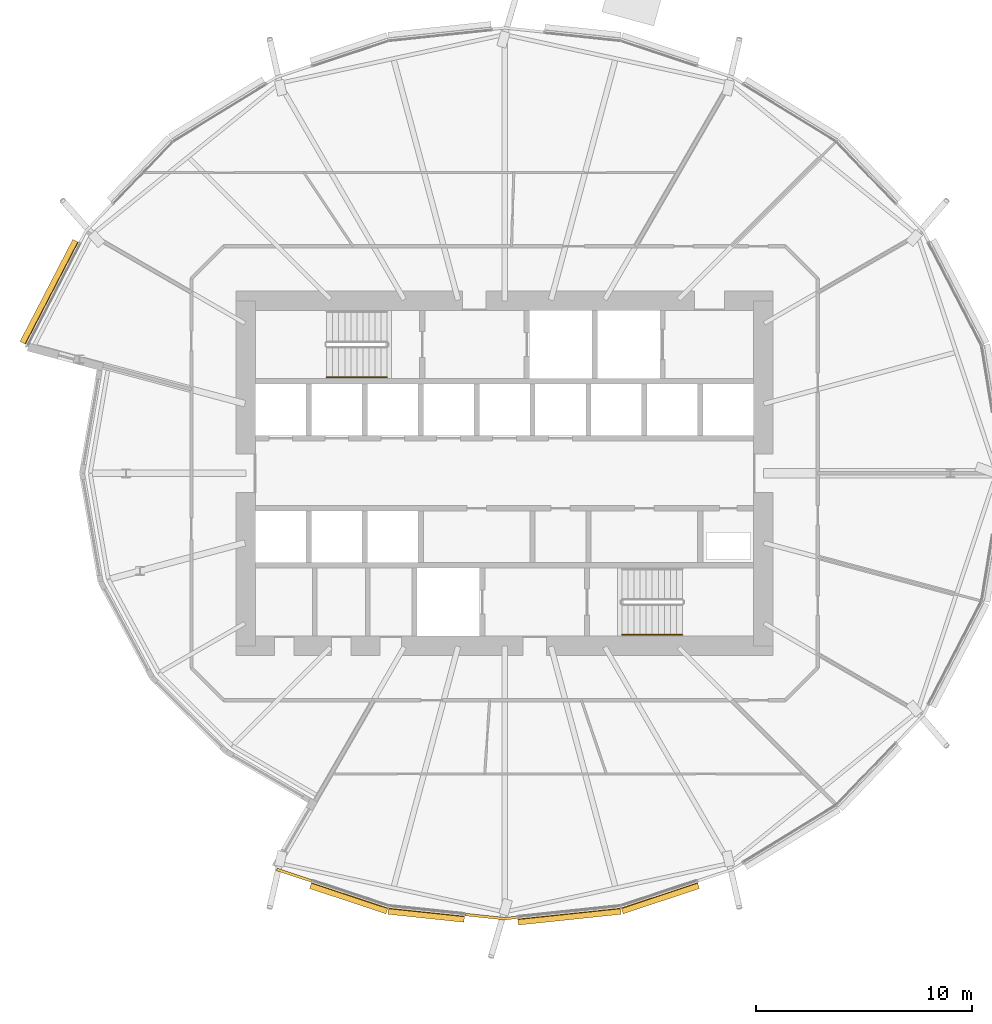
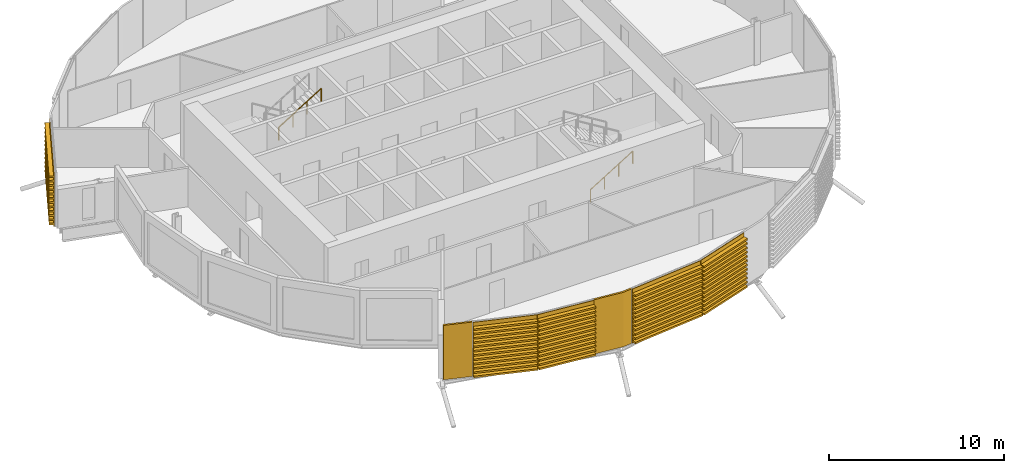
# One storey, part 33 of 38: 7 coverings, 2 railings.
"""IFC4 building model written with IfcOpenShell, lengths in metres."""

import ifcopenshell
import ifcopenshell.guid

model = None  # the IFC model being written
_history = None  # IfcOwnerHistory: only IFC2X3 demands one
_inside = {}  # id of a spatial element -> (the spatial element, [elements in it])
_under = {}  # id of a project, library or spatial element -> (it, [spatial elements below it])
_declared = {}  # id of a project -> (the project, [libraries it declares])
_typed = {}  # id of a type object -> (the type object, [elements of that type])
_made_of = {}  # id of a material, layer set ... -> (it, [elements and type objects made of it])


def new_model(schema):
    """Start an empty IFC model of exactly this schema.

    Asked for "IFC4X3", IfcOpenShell would pick the latest addendum, in which some entities
    have other attributes; the version numbers below select the first issue.
    IFC2X3 requires an IfcOwnerHistory on every rooted entity: one is made here for all.
    """
    global model, _history
    if schema == "IFC4X3":
        model = ifcopenshell.file(schema_version=(4, 3, 0, 0))
    else:
        model = ifcopenshell.file(schema=schema)
    _inside.clear()
    _under.clear()
    _declared.clear()
    _typed.clear()
    _made_of.clear()
    _history = None
    if model.schema == "IFC2X3":
        org = make("IfcOrganization", Name="unknown")
        user = make(
            "IfcPersonAndOrganization",
            ThePerson=make("IfcPerson", FamilyName="unknown"),
            TheOrganization=org,
        )
        app = make(
            "IfcApplication",
            ApplicationDeveloper=org,
            Version="unknown",
            ApplicationFullName="unknown",
            ApplicationIdentifier="unknown",
        )
        _history = make(
            "IfcOwnerHistory",
            OwningUser=user,
            OwningApplication=app,
            ChangeAction="ADDED",
            CreationDate=0,
        )
    return model


def make(cls, **values):
    """One entity of the class cls with the attributes given. An attribute that is None is left unset."""
    return model.create_entity(
        cls, **{name: value for name, value in values.items() if value is not None}
    )


def rooted(cls, **values):
    """An entity with a GlobalId (a new one), such as an element, a storey or a relation."""
    return make(cls, GlobalId=ifcopenshell.guid.new(), OwnerHistory=_history, **values)


def si_unit(unit_type, name, prefix=None):
    """IfcSIUnit, for example si_unit("LENGTHUNIT", "METRE", prefix="MILLI")."""
    return make("IfcSIUnit", UnitType=unit_type, Prefix=prefix, Name=name)


def assignment(units):
    """IfcUnitAssignment: the units of a project."""
    return None if units is None else make("IfcUnitAssignment", Units=units)


def point(xyz):
    """IfcCartesianPoint."""
    return None if xyz is None else make("IfcCartesianPoint", Coordinates=xyz)


def direction(xyz):
    """IfcDirection."""
    return None if xyz is None else make("IfcDirection", DirectionRatios=xyz)


def frame(location, z_axis=None, x_axis=None):
    """IfcAxis2Placement3D, a coordinate frame: its origin and axes. An axis left out is left unset."""
    return make(
        "IfcAxis2Placement3D",
        Location=point(location),
        Axis=direction(z_axis),
        RefDirection=direction(x_axis),
    )


def frame_2d(location, x_axis=None):
    """IfcAxis2Placement2D, a coordinate frame in the plane: its origin and x axis."""
    return make(
        "IfcAxis2Placement2D", Location=point(location), RefDirection=direction(x_axis)
    )


def origin():
    """The frame at (0, 0, 0) with its axes left unset."""
    return frame((0.0, 0.0, 0.0))


def origin_2d():
    """The frame at (0, 0) in the plane with its x axis left unset."""
    return frame_2d((0.0, 0.0))


def place(relative_to, where):
    """IfcLocalPlacement: puts the frame where relative to a parent placement (None: the world)."""
    return make(
        "IfcLocalPlacement", PlacementRelTo=relative_to, RelativePlacement=where
    )


def context(
    kind, dimensions, precision=None, world=None, true_north=None, identifier=None
):
    """IfcGeometricRepresentationContext, for example the 3D "Model" context."""
    return make(
        "IfcGeometricRepresentationContext",
        ContextIdentifier=identifier,
        ContextType=kind,
        CoordinateSpaceDimension=dimensions,
        Precision=precision,
        WorldCoordinateSystem=world,
        TrueNorth=true_north,
    )


def subcontext(parent, identifier, kind, view, scale=None):
    """IfcGeometricRepresentationSubContext, for example "Body" below "Model"."""
    return make(
        "IfcGeometricRepresentationSubContext",
        ContextIdentifier=identifier,
        ContextType=kind,
        ParentContext=parent,
        TargetScale=scale,
        TargetView=view,
    )


def project(units=None, contexts=None):
    """IfcProject with its units and contexts."""
    return rooted(
        "IfcProject",
        Name="project",
        RepresentationContexts=contexts,
        UnitsInContext=assignment(units),
    )


def spatial(cls, under=None, at=None, **own):
    """A site, building, storey or space (cls), placed at a placement, below another one or the project."""
    s = rooted(cls, ObjectPlacement=at, **own)
    if under is not None:
        _under.setdefault(under.id(), (under, []))[1].append(s)
    return s


def polyline(points):
    """IfcPolyline through the points."""
    return make("IfcPolyline", Points=[point(p) for p in points])


def profile(cls, at=None, kind="AREA", **sizes):
    """A parametric profile (cls). Its sizes go by their IFC names, for example OverallWidth=200.0."""
    return make(cls, ProfileType=kind, Position=at, **sizes)


def circle(**sizes):
    """IfcCircleProfileDef."""
    return profile("IfcCircleProfileDef", **sizes)


def outline(outer, holes=None, kind="AREA"):
    """IfcArbitraryClosedProfileDef: a profile drawn as a closed curve; with holes, ...WithVoids."""
    if holes is None:
        return make("IfcArbitraryClosedProfileDef", ProfileType=kind, OuterCurve=outer)
    return make(
        "IfcArbitraryProfileDefWithVoids",
        ProfileType=kind,
        OuterCurve=outer,
        InnerCurves=holes,
    )


def extrude(swept, where, along, depth):
    """IfcExtrudedAreaSolid: the profile swept, set in the frame where, extruded along a direction by depth."""
    return make(
        "IfcExtrudedAreaSolid",
        SweptArea=swept,
        Position=where,
        ExtrudedDirection=direction(along),
        Depth=depth,
    )


def shape(context_of_items, identifier, shape_type, items):
    """IfcShapeRepresentation: the items that make up one representation, for example the "Body"."""
    return make(
        "IfcShapeRepresentation",
        ContextOfItems=context_of_items,
        RepresentationIdentifier=identifier,
        RepresentationType=shape_type,
        Items=items,
    )


def material(Name=None, Category=None):
    """IfcMaterial."""
    return make("IfcMaterial", Name=Name, Category=Category)


def layer(
    of_material, thickness, ventilated=None, Name=None, Category=None, Priority=None
):
    """IfcMaterialLayer: one layer of a wall or slab, of a material (None: an air gap)."""
    return make(
        "IfcMaterialLayer",
        Material=of_material,
        LayerThickness=thickness,
        IsVentilated=ventilated,
        Name=Name,
        Category=Category,
        Priority=Priority,
    )


def layer_set(layers, Name=None):
    """IfcMaterialLayerSet."""
    return make("IfcMaterialLayerSet", MaterialLayers=layers, LayerSetName=Name)


def material_profile(
    of_material, cross_section, Name=None, Category=None, Priority=None
):
    """IfcMaterialProfile: a cross section and its material."""
    return make(
        "IfcMaterialProfile",
        Name=Name,
        Material=of_material,
        Profile=cross_section,
        Priority=Priority,
        Category=Category,
    )


def profile_set(profiles, Name=None, composite=None):
    """IfcMaterialProfileSet."""
    return make(
        "IfcMaterialProfileSet",
        Name=Name,
        MaterialProfiles=profiles,
        CompositeProfile=composite,
    )


def made_of(thing, what):
    """Note that an element or type object is made of a material, layer set ...; save() writes the relation."""
    if what is not None:
        _made_of.setdefault(what.id(), (what, []))[1].append(thing)
    return thing


def type_object(cls, material=None, **own):
    """A type object (cls), such as IfcWallType, which elements share."""
    return made_of(rooted(cls, **own), material)


def element(
    cls,
    number,
    at=None,
    inside=None,
    cuts=None,
    type_object=None,
    material=None,
    context=None,
    identifier="Body",
    shape_type=None,
    held_by="IfcProductDefinitionShape",
    body=None,
    shapes=None,
    **own,
):
    """One element of the class cls, such as IfcWall. Its Tag is "e" and its number.

    at: its placement. inside: the storey or other place that contains it. cuts: it is an
    opening in that element (IfcRelVoidsElement). A single representation is given by context,
    identifier, shape_type and body (its items); several are given by shapes. held_by: the class
    of the entity that holds the representations. save() writes the other relations.
    """
    e = rooted(cls, Tag="e%d" % number, ObjectPlacement=at, **own)
    if body is not None:
        shapes = [shape(context, identifier, shape_type, body)]
    if shapes is not None:
        e.Representation = make(held_by, Representations=shapes)
    if inside is not None:
        _inside.setdefault(inside.id(), (inside, []))[1].append(e)
    if cuts is not None:
        rooted(
            "IfcRelVoidsElement", RelatingBuildingElement=cuts, RelatedOpeningElement=e
        )
    if type_object is not None:
        _typed.setdefault(type_object.id(), (type_object, []))[1].append(e)
    return made_of(e, material)


def aggregate(whole, parts):
    """IfcRelAggregates: a whole, such as a stair, and the parts it consists of."""
    return rooted("IfcRelAggregates", RelatingObject=whole, RelatedObjects=parts)


def save(model, path):
    """Write the relations noted so far, then the file.

    IfcRelAggregates (storeys below a building ...), IfcRelContainedInSpatialStructure (elements
    in a storey), IfcRelDefinesByType, IfcRelAssociatesMaterial and IfcRelDeclares: one each for
    every whole, place, type object, material and project.
    """
    for whole, parts in _under.values():
        aggregate(whole, parts)
    for where, things in _inside.values():
        rooted(
            "IfcRelContainedInSpatialStructure",
            RelatedElements=things,
            RelatingStructure=where,
        )
    for kind, things in _typed.values():
        rooted("IfcRelDefinesByType", RelatedObjects=things, RelatingType=kind)
    for what, things in _made_of.values():
        rooted("IfcRelAssociatesMaterial", RelatedObjects=things, RelatingMaterial=what)
    for by, libraries in _declared.values():
        rooted("IfcRelDeclares", RelatingContext=by, RelatedDefinitions=libraries)
    model.write(path)


model = new_model("IFC4")

# Units and contexts
model_context = context("Model", 3, precision=1e-05, world=origin(), true_north=direction((0.0, 1.0)))
body_context = subcontext(model_context, "Body", "Model", "MODEL_VIEW")
ifc_project = project(units=[si_unit("LENGTHUNIT", "METRE"), si_unit("AREAUNIT", "SQUARE_METRE"), si_unit("VOLUMEUNIT", "CUBIC_METRE"), si_unit("PLANEANGLEUNIT", "RADIAN"), si_unit("MASSUNIT", "GRAM", prefix="KILO")], contexts=[model_context])

# Site, building, storey
site_placement = place(None, origin())
site = spatial("IfcSite", under=ifc_project, at=site_placement, CompositionType="ELEMENT")
building_placement = place(site_placement, origin())
building = spatial("IfcBuilding", under=site, at=building_placement, Name="Rimbun Link Towers", CompositionType="ELEMENT")
storey_placement = place(building_placement, frame((0.0, 0.0, 56.60009765625)))
storey = spatial("IfcBuildingStorey", under=building, at=storey_placement, Name="L13", CompositionType="ELEMENT", Elevation=56.60009765625)

# Coverings
ifc_material_1 = material(Name="Terracotta", Category="masonry")
ifc_layer = layer(ifc_material_1, 0.1201171875)
ifc_layer_set = layer_set([ifc_layer], Name="LINK PIER terracotta cladding 120")
covering_type_1 = type_object("IfcCoveringType", Name="LINK PIER terracotta cladding 120", PredefinedType="CLADDING", material=ifc_layer_set)
covering_1_placement = place(storey_placement, origin())
element("IfcCovering", 1, at=covering_1_placement, inside=storey, type_object=covering_type_1, Name="LINK PIER cladding", PredefinedType="CLADDING", context=body_context, shape_type="SweptSolid", body=[
    extrude(outline(polyline([(-40.688232421875, -18.8505859375), (-42.29248046875, -18.31884765625), (-42.330322265625, -18.432861328125), (-40.72607421875, -18.96435546875), (-40.688232421875, -18.8505859375)])), origin(), (0.0, 0.0, 1.0), 3.7998046875),
])
covering_2_placement = place(storey_placement, origin())
element("IfcCovering", 2, at=covering_2_placement, inside=storey, type_object=covering_type_1, Name="LINK PIER cladding", PredefinedType="CLADDING", context=body_context, shape_type="SweptSolid", body=[
    extrude(outline(polyline([(-31.18310546875, -20.539306640625), (-31.75, -20.59912109375), (-33.56005859375, -20.408447265625), (-33.572509765625, -20.52783203125), (-31.75, -20.7197265625), (-31.170654296875, -20.65869140625), (-31.18310546875, -20.539306640625)])), origin(), (0.0, 0.0, 1.0), 3.7998046875),
])

# Railings
ifc_material_2 = material(Name="Stainless steel grade 316", Category="steel")
railing_type = type_object("IfcRailingType", Name="Stair handrail", PredefinedType="HANDRAIL", material=ifc_material_2)
for number, where, name in (
    (3, (-40.0, 4.449951171875, 2.072509765625), "L13 ST1 stair handrail 2"),
    (4, (-26.300048828125, -7.5, 0.172607421875), "L13 ST2 stair handrail 1"),
):
    element("IfcRailing", number, at=place(storey_placement, frame(where)), inside=storey, type_object=railing_type, Name=name, PredefinedType="HANDRAIL", context=body_context, shape_type="SweptSolid", body=[
        extrude(circle(Radius=0.02392578125, at=origin_2d()), frame((0.0, 0.0, 0.8759765625), z_axis=(0.851089632645, 0.0, 0.525020415988), x_axis=(0.0, 1.0, 0.0)), (0.0, 0.0, 1.0), 3.2900390625),
        extrude(circle(Radius=0.02099609375, at=origin_2d()), origin(), (0.0, 0.0, 1.0), 0.851806640625),
        extrude(circle(Radius=0.02099609375, at=origin_2d()), frame((0.933349609375, 0.0, 0.57568359375)), (0.0, 0.0, 1.0), 0.851806640625),
        extrude(circle(Radius=0.02099609375, at=origin_2d()), frame((1.86669921875, 0.0, 1.151611328125)), (0.0, 0.0, 1.0), 0.851806640625),
        extrude(circle(Radius=0.02099609375, at=origin_2d()), frame((2.800048828125, 0.0, 1.727294921875)), (0.0, 0.0, 1.0), 0.851806640625),
    ])

# Coverings
ifc_material_3 = material(Name="Terracotta", Category="masonry")
ifc_material_profile = material_profile(ifc_material_3, outline(polyline([(0.123046875, 0.0), (0.1630859375, 0.0), (0.1630859375, 0.10009765625), (0.423095703125, 0.10009765625), (0.423095703125, 0.219970703125), (0.1630859375, 0.219970703125), (0.1630859375, 0.39990234375), (0.423095703125, 0.39990234375), (0.423095703125, 0.52001953125), (0.1630859375, 0.52001953125), (0.1630859375, 0.699951171875), (0.423095703125, 0.699951171875), (0.423095703125, 0.820068359375), (0.1630859375, 0.820068359375), (0.1630859375, 1.0), (0.423095703125, 1.0), (0.423095703125, 1.1201171875), (0.1630859375, 1.1201171875), (0.1630859375, 1.300048828125), (0.423095703125, 1.300048828125), (0.423095703125, 1.419921875), (0.1630859375, 1.419921875), (0.1630859375, 1.60009765625), (0.423095703125, 1.60009765625), (0.423095703125, 1.719970703125), (0.1630859375, 1.719970703125), (0.1630859375, 1.89990234375), (0.423095703125, 1.89990234375), (0.423095703125, 2.02001953125), (0.1630859375, 2.02001953125), (0.1630859375, 2.199951171875), (0.423095703125, 2.199951171875), (0.423095703125, 2.320068359375), (0.1630859375, 2.320068359375), (0.1630859375, 2.5), (0.423095703125, 2.5), (0.423095703125, 2.6201171875), (0.1630859375, 2.6201171875), (0.1630859375, 2.800048828125), (0.423095703125, 2.800048828125), (0.423095703125, 2.919921875), (0.1630859375, 2.919921875), (0.1630859375, 3.10009765625), (0.423095703125, 3.10009765625), (0.423095703125, 3.219970703125), (0.1630859375, 3.219970703125), (0.1630859375, 3.39990234375), (0.423095703125, 3.39990234375), (0.423095703125, 3.52001953125), (0.1630859375, 3.52001953125), (0.1630859375, 3.800048828125), (0.123046875, 3.800048828125), (0.123046875, 0.0)])), Name="BAGUETTE 120X300")
ifc_profile_set = profile_set([ifc_material_profile], Name="Terracotta")
covering_type_2 = type_object("IfcCoveringType", Name="TERRACOTTA BAGUETTE 120X300 H3800", PredefinedType="CLADDING", material=ifc_profile_set)
covering_3_placement = place(storey_placement, frame((-53.847412109375, 5.9208984375, 0.0), z_axis=(0.459562546534, 0.88814540804, 0.0), x_axis=(-0.88814540804, 0.459562546534, 0.0)))
element("IfcCovering", 5, at=covering_3_placement, inside=storey, type_object=covering_type_2, Name="TERRACOTTA BAGUETTE", PredefinedType="CLADDING", context=body_context, shape_type="SweptSolid", body=[
    extrude(outline(polyline([(0.123046875, 0.0), (0.1630859375, 0.0), (0.1630859375, 0.10009765625), (0.423095703125, 0.10009765625), (0.423095703125, 0.219970703125), (0.1630859375, 0.219970703125), (0.1630859375, 0.39990234375), (0.423095703125, 0.39990234375), (0.423095703125, 0.52001953125), (0.1630859375, 0.52001953125), (0.1630859375, 0.699951171875), (0.423095703125, 0.699951171875), (0.423095703125, 0.820068359375), (0.1630859375, 0.820068359375), (0.1630859375, 1.0), (0.423095703125, 1.0), (0.423095703125, 1.1201171875), (0.1630859375, 1.1201171875), (0.1630859375, 1.300048828125), (0.423095703125, 1.300048828125), (0.423095703125, 1.419921875), (0.1630859375, 1.419921875), (0.1630859375, 1.60009765625), (0.423095703125, 1.60009765625), (0.423095703125, 1.719970703125), (0.1630859375, 1.719970703125), (0.1630859375, 1.89990234375), (0.423095703125, 1.89990234375), (0.423095703125, 2.02001953125), (0.1630859375, 2.02001953125), (0.1630859375, 2.199951171875), (0.423095703125, 2.199951171875), (0.423095703125, 2.320068359375), (0.1630859375, 2.320068359375), (0.1630859375, 2.5), (0.423095703125, 2.5), (0.423095703125, 2.6201171875), (0.1630859375, 2.6201171875), (0.1630859375, 2.800048828125), (0.423095703125, 2.800048828125), (0.423095703125, 2.919921875), (0.1630859375, 2.919921875), (0.1630859375, 3.10009765625), (0.423095703125, 3.10009765625), (0.423095703125, 3.219970703125), (0.1630859375, 3.219970703125), (0.1630859375, 3.39990234375), (0.423095703125, 3.39990234375), (0.423095703125, 3.52001953125), (0.1630859375, 3.52001953125), (0.1630859375, 3.800048828125), (0.123046875, 3.800048828125), (0.123046875, 0.0)])), origin(), (0.0, 0.0, 1.0), 5.327392578125),
])
covering_4_placement = place(storey_placement, frame((-37.117919921875, -20.03369140625, 0.0), z_axis=(-0.949250997576, 0.314519544069, 0.0), x_axis=(-0.314519544069, -0.949250997576, 0.0)))
element("IfcCovering", 6, at=covering_4_placement, inside=storey, type_object=covering_type_2, Name="TERRACOTTA BAGUETTE", PredefinedType="CLADDING", context=body_context, shape_type="SweptSolid", body=[
    extrude(outline(polyline([(0.123046875, 0.0), (0.1630859375, 0.0), (0.1630859375, 0.10009765625), (0.423095703125, 0.10009765625), (0.423095703125, 0.219970703125), (0.1630859375, 0.219970703125), (0.1630859375, 0.39990234375), (0.423095703125, 0.39990234375), (0.423095703125, 0.52001953125), (0.1630859375, 0.52001953125), (0.1630859375, 0.699951171875), (0.423095703125, 0.699951171875), (0.423095703125, 0.820068359375), (0.1630859375, 0.820068359375), (0.1630859375, 1.0), (0.423095703125, 1.0), (0.423095703125, 1.1201171875), (0.1630859375, 1.1201171875), (0.1630859375, 1.300048828125), (0.423095703125, 1.300048828125), (0.423095703125, 1.419921875), (0.1630859375, 1.419921875), (0.1630859375, 1.60009765625), (0.423095703125, 1.60009765625), (0.423095703125, 1.719970703125), (0.1630859375, 1.719970703125), (0.1630859375, 1.89990234375), (0.423095703125, 1.89990234375), (0.423095703125, 2.02001953125), (0.1630859375, 2.02001953125), (0.1630859375, 2.199951171875), (0.423095703125, 2.199951171875), (0.423095703125, 2.320068359375), (0.1630859375, 2.320068359375), (0.1630859375, 2.5), (0.423095703125, 2.5), (0.423095703125, 2.6201171875), (0.1630859375, 2.6201171875), (0.1630859375, 2.800048828125), (0.423095703125, 2.800048828125), (0.423095703125, 2.919921875), (0.1630859375, 2.919921875), (0.1630859375, 3.10009765625), (0.423095703125, 3.10009765625), (0.423095703125, 3.219970703125), (0.1630859375, 3.219970703125), (0.1630859375, 3.39990234375), (0.423095703125, 3.39990234375), (0.423095703125, 3.52001953125), (0.1630859375, 3.52001953125), (0.1630859375, 3.800048828125), (0.123046875, 3.800048828125), (0.123046875, 0.0)])), origin(), (0.0, 0.0, 1.0), 3.7314453125),
])
covering_5_placement = place(storey_placement, frame((-33.58984375, -20.4052734375, 0.0), z_axis=(-0.994499417847, 0.104742101859, 0.0), x_axis=(-0.104742101859, -0.994499417847, 0.0)))
element("IfcCovering", 7, at=covering_5_placement, inside=storey, type_object=covering_type_2, Name="TERRACOTTA BAGUETTE", PredefinedType="CLADDING", context=body_context, shape_type="SweptSolid", body=[
    extrude(outline(polyline([(0.123046875, 0.0), (0.1630859375, 0.0), (0.1630859375, 0.10009765625), (0.423095703125, 0.10009765625), (0.423095703125, 0.219970703125), (0.1630859375, 0.219970703125), (0.1630859375, 0.39990234375), (0.423095703125, 0.39990234375), (0.423095703125, 0.52001953125), (0.1630859375, 0.52001953125), (0.1630859375, 0.699951171875), (0.423095703125, 0.699951171875), (0.423095703125, 0.820068359375), (0.1630859375, 0.820068359375), (0.1630859375, 1.0), (0.423095703125, 1.0), (0.423095703125, 1.1201171875), (0.1630859375, 1.1201171875), (0.1630859375, 1.300048828125), (0.423095703125, 1.300048828125), (0.423095703125, 1.419921875), (0.1630859375, 1.419921875), (0.1630859375, 1.60009765625), (0.423095703125, 1.60009765625), (0.423095703125, 1.719970703125), (0.1630859375, 1.719970703125), (0.1630859375, 1.89990234375), (0.423095703125, 1.89990234375), (0.423095703125, 2.02001953125), (0.1630859375, 2.02001953125), (0.1630859375, 2.199951171875), (0.423095703125, 2.199951171875), (0.423095703125, 2.320068359375), (0.1630859375, 2.320068359375), (0.1630859375, 2.5), (0.423095703125, 2.5), (0.423095703125, 2.6201171875), (0.1630859375, 2.6201171875), (0.1630859375, 2.800048828125), (0.423095703125, 2.800048828125), (0.423095703125, 2.919921875), (0.1630859375, 2.919921875), (0.1630859375, 3.10009765625), (0.423095703125, 3.10009765625), (0.423095703125, 3.219970703125), (0.1630859375, 3.219970703125), (0.1630859375, 3.39990234375), (0.423095703125, 3.39990234375), (0.423095703125, 3.52001953125), (0.1630859375, 3.52001953125), (0.1630859375, 3.800048828125), (0.123046875, 3.800048828125), (0.123046875, 0.0)])), origin(), (0.0, 0.0, 1.0), 3.547607421875),
])
covering_6_placement = place(storey_placement, frame((-26.382080078125, -20.03369140625, 0.0), z_axis=(-0.994500990619, -0.104727167717, 0.0), x_axis=(0.104727167717, -0.994500990619, 0.0)))
element("IfcCovering", 8, at=covering_6_placement, inside=storey, type_object=covering_type_2, Name="TERRACOTTA BAGUETTE", PredefinedType="CLADDING", context=body_context, shape_type="SweptSolid", body=[
    extrude(outline(polyline([(0.123046875, 0.0), (0.1630859375, 0.0), (0.1630859375, 0.10009765625), (0.423095703125, 0.10009765625), (0.423095703125, 0.219970703125), (0.1630859375, 0.219970703125), (0.1630859375, 0.39990234375), (0.423095703125, 0.39990234375), (0.423095703125, 0.52001953125), (0.1630859375, 0.52001953125), (0.1630859375, 0.699951171875), (0.423095703125, 0.699951171875), (0.423095703125, 0.820068359375), (0.1630859375, 0.820068359375), (0.1630859375, 1.0), (0.423095703125, 1.0), (0.423095703125, 1.1201171875), (0.1630859375, 1.1201171875), (0.1630859375, 1.300048828125), (0.423095703125, 1.300048828125), (0.423095703125, 1.419921875), (0.1630859375, 1.419921875), (0.1630859375, 1.60009765625), (0.423095703125, 1.60009765625), (0.423095703125, 1.719970703125), (0.1630859375, 1.719970703125), (0.1630859375, 1.89990234375), (0.423095703125, 1.89990234375), (0.423095703125, 2.02001953125), (0.1630859375, 2.02001953125), (0.1630859375, 2.199951171875), (0.423095703125, 2.199951171875), (0.423095703125, 2.320068359375), (0.1630859375, 2.320068359375), (0.1630859375, 2.5), (0.423095703125, 2.5), (0.423095703125, 2.6201171875), (0.1630859375, 2.6201171875), (0.1630859375, 2.800048828125), (0.423095703125, 2.800048828125), (0.423095703125, 2.919921875), (0.1630859375, 2.919921875), (0.1630859375, 3.10009765625), (0.423095703125, 3.10009765625), (0.423095703125, 3.219970703125), (0.1630859375, 3.219970703125), (0.1630859375, 3.39990234375), (0.423095703125, 3.39990234375), (0.423095703125, 3.52001953125), (0.1630859375, 3.52001953125), (0.1630859375, 3.800048828125), (0.123046875, 3.800048828125), (0.123046875, 0.0)])), origin(), (0.0, 0.0, 1.0), 4.797607421875),
])
covering_7_placement = place(storey_placement, frame((-22.840087890625, -18.860107421875, 0.0), z_axis=(-0.949250997576, -0.314519544069, 0.0), x_axis=(0.314519544069, -0.949250997576, 0.0)))
element("IfcCovering", 9, at=covering_7_placement, inside=storey, type_object=covering_type_2, Name="TERRACOTTA BAGUETTE", PredefinedType="CLADDING", context=body_context, shape_type="SweptSolid", body=[
    extrude(outline(polyline([(0.123046875, 0.0), (0.1630859375, 0.0), (0.1630859375, 0.10009765625), (0.423095703125, 0.10009765625), (0.423095703125, 0.219970703125), (0.1630859375, 0.219970703125), (0.1630859375, 0.39990234375), (0.423095703125, 0.39990234375), (0.423095703125, 0.52001953125), (0.1630859375, 0.52001953125), (0.1630859375, 0.699951171875), (0.423095703125, 0.699951171875), (0.423095703125, 0.820068359375), (0.1630859375, 0.820068359375), (0.1630859375, 1.0), (0.423095703125, 1.0), (0.423095703125, 1.1201171875), (0.1630859375, 1.1201171875), (0.1630859375, 1.300048828125), (0.423095703125, 1.300048828125), (0.423095703125, 1.419921875), (0.1630859375, 1.419921875), (0.1630859375, 1.60009765625), (0.423095703125, 1.60009765625), (0.423095703125, 1.719970703125), (0.1630859375, 1.719970703125), (0.1630859375, 1.89990234375), (0.423095703125, 1.89990234375), (0.423095703125, 2.02001953125), (0.1630859375, 2.02001953125), (0.1630859375, 2.199951171875), (0.423095703125, 2.199951171875), (0.423095703125, 2.320068359375), (0.1630859375, 2.320068359375), (0.1630859375, 2.5), (0.423095703125, 2.5), (0.423095703125, 2.6201171875), (0.1630859375, 2.6201171875), (0.1630859375, 2.800048828125), (0.423095703125, 2.800048828125), (0.423095703125, 2.919921875), (0.1630859375, 2.919921875), (0.1630859375, 3.10009765625), (0.423095703125, 3.10009765625), (0.423095703125, 3.219970703125), (0.1630859375, 3.219970703125), (0.1630859375, 3.39990234375), (0.423095703125, 3.39990234375), (0.423095703125, 3.52001953125), (0.1630859375, 3.52001953125), (0.1630859375, 3.800048828125), (0.123046875, 3.800048828125), (0.123046875, 0.0)])), origin(), (0.0, 0.0, 1.0), 3.7314453125),
])

save(model, "model.ifc")
